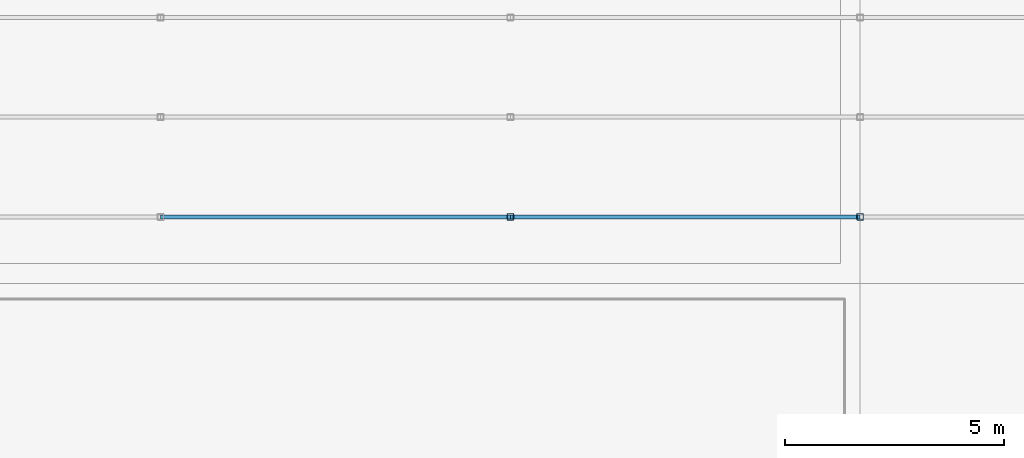
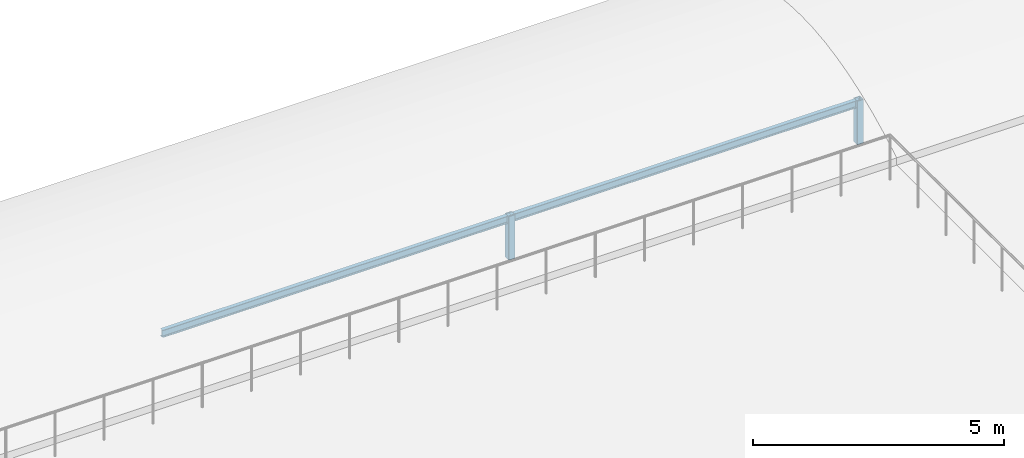
# One storey, part 13 of 46: 4 members.
"""IFC4 building model written with IfcOpenShell, lengths in metres."""

import ifcopenshell
import ifcopenshell.guid

model = None  # the IFC model being written
_history = None  # IfcOwnerHistory: only IFC2X3 demands one
_inside = {}  # id of a spatial element -> (the spatial element, [elements in it])
_under = {}  # id of a project, library or spatial element -> (it, [spatial elements below it])
_declared = {}  # id of a project -> (the project, [libraries it declares])
_typed = {}  # id of a type object -> (the type object, [elements of that type])
_made_of = {}  # id of a material, layer set ... -> (it, [elements and type objects made of it])


def new_model(schema):
    """Start an empty IFC model of exactly this schema.

    Asked for "IFC4X3", IfcOpenShell would pick the latest addendum, in which some entities
    have other attributes; the version numbers below select the first issue.
    IFC2X3 requires an IfcOwnerHistory on every rooted entity: one is made here for all.
    """
    global model, _history
    if schema == "IFC4X3":
        model = ifcopenshell.file(schema_version=(4, 3, 0, 0))
    else:
        model = ifcopenshell.file(schema=schema)
    _inside.clear()
    _under.clear()
    _declared.clear()
    _typed.clear()
    _made_of.clear()
    _history = None
    if model.schema == "IFC2X3":
        org = make("IfcOrganization", Name="unknown")
        user = make(
            "IfcPersonAndOrganization",
            ThePerson=make("IfcPerson", FamilyName="unknown"),
            TheOrganization=org,
        )
        app = make(
            "IfcApplication",
            ApplicationDeveloper=org,
            Version="unknown",
            ApplicationFullName="unknown",
            ApplicationIdentifier="unknown",
        )
        _history = make(
            "IfcOwnerHistory",
            OwningUser=user,
            OwningApplication=app,
            ChangeAction="ADDED",
            CreationDate=0,
        )
    return model


def make(cls, **values):
    """One entity of the class cls with the attributes given. An attribute that is None is left unset."""
    return model.create_entity(
        cls, **{name: value for name, value in values.items() if value is not None}
    )


def rooted(cls, **values):
    """An entity with a GlobalId (a new one), such as an element, a storey or a relation."""
    return make(cls, GlobalId=ifcopenshell.guid.new(), OwnerHistory=_history, **values)


def si_unit(unit_type, name, prefix=None):
    """IfcSIUnit, for example si_unit("LENGTHUNIT", "METRE", prefix="MILLI")."""
    return make("IfcSIUnit", UnitType=unit_type, Prefix=prefix, Name=name)


def assignment(units):
    """IfcUnitAssignment: the units of a project."""
    return None if units is None else make("IfcUnitAssignment", Units=units)


def point(xyz):
    """IfcCartesianPoint."""
    return None if xyz is None else make("IfcCartesianPoint", Coordinates=xyz)


def direction(xyz):
    """IfcDirection."""
    return None if xyz is None else make("IfcDirection", DirectionRatios=xyz)


def frame(location, z_axis=None, x_axis=None):
    """IfcAxis2Placement3D, a coordinate frame: its origin and axes. An axis left out is left unset."""
    return make(
        "IfcAxis2Placement3D",
        Location=point(location),
        Axis=direction(z_axis),
        RefDirection=direction(x_axis),
    )


def frame_2d(location, x_axis=None):
    """IfcAxis2Placement2D, a coordinate frame in the plane: its origin and x axis."""
    return make(
        "IfcAxis2Placement2D", Location=point(location), RefDirection=direction(x_axis)
    )


def origin():
    """The frame at (0, 0, 0) with its axes left unset."""
    return frame((0.0, 0.0, 0.0))


def origin_2d():
    """The frame at (0, 0) in the plane with its x axis left unset."""
    return frame_2d((0.0, 0.0))


def place(relative_to, where):
    """IfcLocalPlacement: puts the frame where relative to a parent placement (None: the world)."""
    return make(
        "IfcLocalPlacement", PlacementRelTo=relative_to, RelativePlacement=where
    )


def context(
    kind, dimensions, precision=None, world=None, true_north=None, identifier=None
):
    """IfcGeometricRepresentationContext, for example the 3D "Model" context."""
    return make(
        "IfcGeometricRepresentationContext",
        ContextIdentifier=identifier,
        ContextType=kind,
        CoordinateSpaceDimension=dimensions,
        Precision=precision,
        WorldCoordinateSystem=world,
        TrueNorth=true_north,
    )


def subcontext(parent, identifier, kind, view, scale=None):
    """IfcGeometricRepresentationSubContext, for example "Body" below "Model"."""
    return make(
        "IfcGeometricRepresentationSubContext",
        ContextIdentifier=identifier,
        ContextType=kind,
        ParentContext=parent,
        TargetScale=scale,
        TargetView=view,
    )


def project(units=None, contexts=None):
    """IfcProject with its units and contexts."""
    return rooted(
        "IfcProject",
        Name="project",
        RepresentationContexts=contexts,
        UnitsInContext=assignment(units),
    )


def spatial(cls, under=None, at=None, **own):
    """A site, building, storey or space (cls), placed at a placement, below another one or the project."""
    s = rooted(cls, ObjectPlacement=at, **own)
    if under is not None:
        _under.setdefault(under.id(), (under, []))[1].append(s)
    return s


def profile(cls, at=None, kind="AREA", **sizes):
    """A parametric profile (cls). Its sizes go by their IFC names, for example OverallWidth=200.0."""
    return make(cls, ProfileType=kind, Position=at, **sizes)


def hollow_rectangle(**sizes):
    """IfcRectangleHollowProfileDef."""
    return profile("IfcRectangleHollowProfileDef", **sizes)


def i_section(**sizes):
    """IfcIShapeProfileDef."""
    return profile("IfcIShapeProfileDef", **sizes)


def extrude(swept, where, along, depth):
    """IfcExtrudedAreaSolid: the profile swept, set in the frame where, extruded along a direction by depth."""
    return make(
        "IfcExtrudedAreaSolid",
        SweptArea=swept,
        Position=where,
        ExtrudedDirection=direction(along),
        Depth=depth,
    )


def shape(context_of_items, identifier, shape_type, items):
    """IfcShapeRepresentation: the items that make up one representation, for example the "Body"."""
    return make(
        "IfcShapeRepresentation",
        ContextOfItems=context_of_items,
        RepresentationIdentifier=identifier,
        RepresentationType=shape_type,
        Items=items,
    )


def material(Name=None, Category=None):
    """IfcMaterial."""
    return make("IfcMaterial", Name=Name, Category=Category)


def material_profile(
    of_material, cross_section, Name=None, Category=None, Priority=None
):
    """IfcMaterialProfile: a cross section and its material."""
    return make(
        "IfcMaterialProfile",
        Name=Name,
        Material=of_material,
        Profile=cross_section,
        Priority=Priority,
        Category=Category,
    )


def profile_set(profiles, Name=None, composite=None):
    """IfcMaterialProfileSet."""
    return make(
        "IfcMaterialProfileSet",
        Name=Name,
        MaterialProfiles=profiles,
        CompositeProfile=composite,
    )


def made_of(thing, what):
    """Note that an element or type object is made of a material, layer set ...; save() writes the relation."""
    if what is not None:
        _made_of.setdefault(what.id(), (what, []))[1].append(thing)
    return thing


def type_object(cls, material=None, **own):
    """A type object (cls), such as IfcWallType, which elements share."""
    return made_of(rooted(cls, **own), material)


def element(
    cls,
    number,
    at=None,
    inside=None,
    cuts=None,
    type_object=None,
    material=None,
    context=None,
    identifier="Body",
    shape_type=None,
    held_by="IfcProductDefinitionShape",
    body=None,
    shapes=None,
    **own,
):
    """One element of the class cls, such as IfcWall. Its Tag is "e" and its number.

    at: its placement. inside: the storey or other place that contains it. cuts: it is an
    opening in that element (IfcRelVoidsElement). A single representation is given by context,
    identifier, shape_type and body (its items); several are given by shapes. held_by: the class
    of the entity that holds the representations. save() writes the other relations.
    """
    e = rooted(cls, Tag="e%d" % number, ObjectPlacement=at, **own)
    if body is not None:
        shapes = [shape(context, identifier, shape_type, body)]
    if shapes is not None:
        e.Representation = make(held_by, Representations=shapes)
    if inside is not None:
        _inside.setdefault(inside.id(), (inside, []))[1].append(e)
    if cuts is not None:
        rooted(
            "IfcRelVoidsElement", RelatingBuildingElement=cuts, RelatedOpeningElement=e
        )
    if type_object is not None:
        _typed.setdefault(type_object.id(), (type_object, []))[1].append(e)
    return made_of(e, material)


def aggregate(whole, parts):
    """IfcRelAggregates: a whole, such as a stair, and the parts it consists of."""
    return rooted("IfcRelAggregates", RelatingObject=whole, RelatedObjects=parts)


def save(model, path):
    """Write the relations noted so far, then the file.

    IfcRelAggregates (storeys below a building ...), IfcRelContainedInSpatialStructure (elements
    in a storey), IfcRelDefinesByType, IfcRelAssociatesMaterial and IfcRelDeclares: one each for
    every whole, place, type object, material and project.
    """
    for whole, parts in _under.values():
        aggregate(whole, parts)
    for where, things in _inside.values():
        rooted(
            "IfcRelContainedInSpatialStructure",
            RelatedElements=things,
            RelatingStructure=where,
        )
    for kind, things in _typed.values():
        rooted("IfcRelDefinesByType", RelatedObjects=things, RelatingType=kind)
    for what, things in _made_of.values():
        rooted("IfcRelAssociatesMaterial", RelatedObjects=things, RelatingMaterial=what)
    for by, libraries in _declared.values():
        rooted("IfcRelDeclares", RelatingContext=by, RelatedDefinitions=libraries)
    model.write(path)


model = new_model("IFC4")

# Units and contexts
model_context = context("Model", 3, precision=1e-05, world=origin(), true_north=direction((0.0, 1.0)))
body_context = subcontext(model_context, "Body", "Model", "MODEL_VIEW")
ifc_project = project(units=[si_unit("LENGTHUNIT", "METRE"), si_unit("AREAUNIT", "SQUARE_METRE"), si_unit("VOLUMEUNIT", "CUBIC_METRE"), si_unit("PLANEANGLEUNIT", "RADIAN"), si_unit("MASSUNIT", "GRAM", prefix="KILO")], contexts=[model_context])

# Site, building, storey
site_placement = place(None, origin())
site = spatial("IfcSite", under=ifc_project, at=site_placement, CompositionType="ELEMENT")
building_placement = place(site_placement, origin())
building = spatial("IfcBuilding", under=site, at=building_placement, Name="Shalkamar Park Central Library", CompositionType="ELEMENT")
storey_placement = place(building_placement, frame((0.0, 0.0, 20.39990234375)))
storey = spatial("IfcBuildingStorey", under=building, at=storey_placement, Name="L05", CompositionType="ELEMENT", Elevation=20.39990234375)

# Members
ifc_material = material(Name="Steel S355", Category="steel")
ifc_material_profile_1 = material_profile(ifc_material, hollow_rectangle(XDim=0.14990234375, YDim=0.14990234375, WallThickness=0.008056640625, InnerFilletRadius=0.008056640625, OuterFilletRadius=0.011962890625, at=origin_2d()), Name="SHS 150x150x8")
ifc_profile_set_1 = profile_set([ifc_material_profile_1], Name="Steel S355")
member_type_1 = type_object("IfcMemberType", Name="Diagonal Brace SHS150", PredefinedType="BRACE", material=ifc_profile_set_1)
for number, where, z_axis, x_axis, name in (
    (1, (221.0, 309.919921875, -0.35986328125), (0.0, 0.0, 1.0), (1.0, 0.0, 0.0), "Vault Arch Post BV-L04-N2-14.1"),
    (2, (213.0, 309.919921875, -0.35986328125), (0.0, 0.0, 1.0), (1.0, 0.0, 0.0), "Vault Arch Post BV-L04-NN-13.1"),
):
    element("IfcMember", number, at=place(storey_placement, frame(where, z_axis=z_axis, x_axis=x_axis)), inside=storey, type_object=member_type_1, Name=name, PredefinedType="BRACE", context=body_context, shape_type="SweptSolid", body=[
        extrude(hollow_rectangle(XDim=0.14990234375, YDim=0.14990234375, WallThickness=0.008056640625, InnerFilletRadius=0.008056640625, OuterFilletRadius=0.011962890625, at=origin_2d()), origin(), (0.0, 0.0, 1.0), 1.055908203125),
    ])
ifc_material_profile_2 = material_profile(ifc_material, i_section(OverallWidth=0.091064453125, OverallDepth=0.179931640625, WebThickness=0.00537109375, FlangeThickness=0.008056640625, FilletRadius=0.009033203125, at=origin_2d()), Name="IPE 180")
ifc_profile_set_2 = profile_set([ifc_material_profile_2], Name="Steel S355")
member_type_2 = type_object("IfcMemberType", Name="Roof Purlin IPE180", PredefinedType="PURLIN", material=ifc_profile_set_2)
for number, where, z_axis, x_axis, name in (
    (3, (205.0, 309.919921875, 0.606201171875), (1.0, 0.0, 0.0), (0.0, 1.0, 0.0), "Barrel Roof Purlin BV-L04-NN-1.12"),
    (4, (213.0, 309.919921875, 0.606201171875), (1.0, 0.0, 0.0), (0.0, 1.0, 0.0), "Barrel Roof Purlin BV-L04-NN-1.13"),
):
    element("IfcMember", number, at=place(storey_placement, frame(where, z_axis=z_axis, x_axis=x_axis)), inside=storey, type_object=member_type_2, Name=name, PredefinedType="PURLIN", context=body_context, shape_type="SweptSolid", body=[
        extrude(i_section(OverallWidth=0.091064453125, OverallDepth=0.179931640625, WebThickness=0.00537109375, FlangeThickness=0.008056640625, FilletRadius=0.009033203125, at=origin_2d()), origin(), (0.0, 0.0, 1.0), 8.0),
    ])

save(model, "model.ifc")
